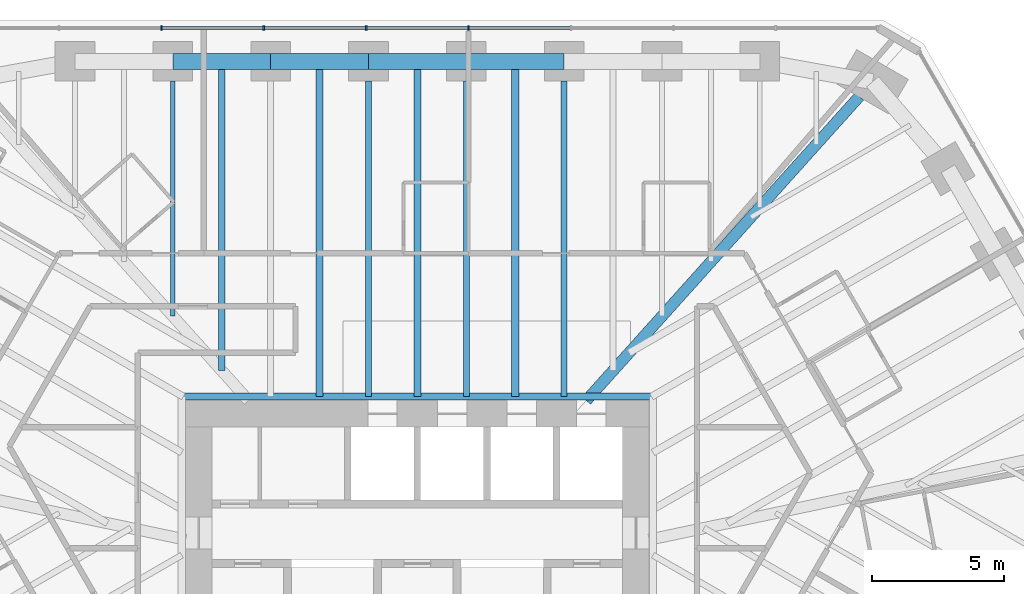
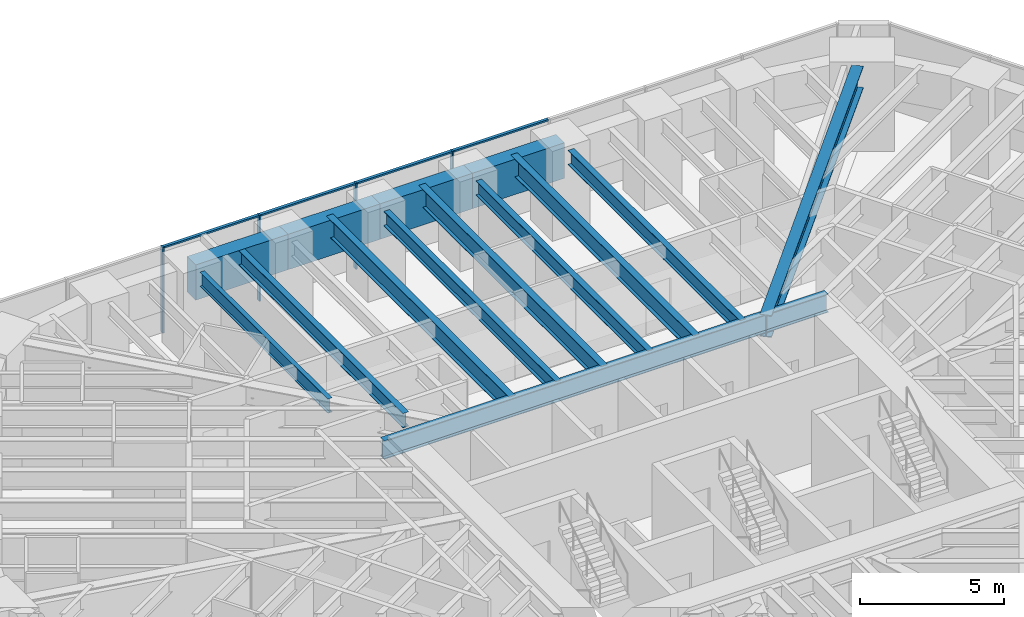
# One storey, part 8 of 16: 14 beams, 8 members, 1 element without a shape of its own.
"""IFC4 building model written with IfcOpenShell, lengths in metres."""

from ifc_helpers import new_model, si_unit, direction, frame, origin, origin_2d, place, context, subcontext, project, spatial, rectangle, i_section, extrude, material, material_profile, profile_set, type_object, element, aggregate, save


model = new_model("IFC4")

# Units and contexts
model_context = context("Model", 3, precision=1e-05, world=origin(), true_north=direction((0.0, 1.0)))
body_context = subcontext(model_context, "Body", "Model", "MODEL_VIEW")
ifc_project = project(units=[si_unit("LENGTHUNIT", "METRE"), si_unit("AREAUNIT", "SQUARE_METRE"), si_unit("VOLUMEUNIT", "CUBIC_METRE"), si_unit("PLANEANGLEUNIT", "RADIAN"), si_unit("MASSUNIT", "GRAM", prefix="KILO")], contexts=[model_context])

# Site, building, storey
site_placement = place(None, origin())
site = spatial("IfcSite", under=ifc_project, at=site_placement, CompositionType="ELEMENT")
building_placement = place(site_placement, origin())
building = spatial("IfcBuilding", under=site, at=building_placement, Name="Sandreach Pilgrim Tower", CompositionType="ELEMENT")
storey_placement = place(building_placement, frame((0.0, 0.0, 209.800048828125)))
storey = spatial("IfcBuildingStorey", under=building, at=storey_placement, Name="L52", CompositionType="ELEMENT", Elevation=209.800048828125)

# Curtain wall, members
ifc_material_1 = material(Name="Aluminium framed curtain wall", Category="aluminium")
curtain_wall_type = type_object("IfcCurtainWallType", Name="Upper hotel tower curtain wall", PredefinedType="NOTDEFINED", material=ifc_material_1)
curtain_wall_placement = place(storey_placement, origin())
curtain_wall = element("IfcCurtainWall", 1, at=curtain_wall_placement, inside=storey, type_object=curtain_wall_type, Name="CW-3 L52 N", PredefinedType="NOTDEFINED")
ifc_material_2 = material(Name="Aluminium extrusion", Category="aluminium")
ifc_material_profile_1 = material_profile(ifc_material_2, rectangle(XDim=0.06494140625, YDim=0.159912109375, at=origin_2d()), Name="CW-3M 65X160")
ifc_profile_set_1 = profile_set([ifc_material_profile_1], Name="Aluminium extrusion")
member_type_1 = type_object("IfcMemberType", Name="CW-3 mullion", PredefinedType="MULLION", material=ifc_profile_set_1)
member_1_placement = place(storey_placement, frame((-9.6611328125, 21.16015625, 0.0), z_axis=(0.0, 0.0, 1.0), x_axis=(1.0, 0.0, 0.0)))
member_1 = element("IfcMember", 2, at=member_1_placement, type_object=member_type_1, Name="CW-3 mullion 3", PredefinedType="MULLION", context=body_context, shape_type="SweptSolid", body=[
    extrude(rectangle(XDim=0.06494140625, YDim=0.159912109375, at=origin_2d()), origin(), (0.0, 0.0, 1.0), 3.639892578125),
])
member_2_placement = place(storey_placement, frame((-5.796630859375, 21.16015625, 0.0), z_axis=(0.0, 0.0, 1.0), x_axis=(1.0, 0.0, 0.0)))
member_2 = element("IfcMember", 3, at=member_2_placement, type_object=member_type_1, Name="CW-3 mullion 4", PredefinedType="MULLION", context=body_context, shape_type="SweptSolid", body=[
    extrude(rectangle(XDim=0.06494140625, YDim=0.159912109375, at=origin_2d()), origin(), (0.0, 0.0, 1.0), 3.639892578125),
])
member_3_placement = place(storey_placement, frame((-1.93212890625, 21.16015625, 0.0), z_axis=(0.0, 0.0, 1.0), x_axis=(1.0, 0.0, 0.0)))
member_3 = element("IfcMember", 4, at=member_3_placement, type_object=member_type_1, Name="CW-3 mullion 5", PredefinedType="MULLION", context=body_context, shape_type="SweptSolid", body=[
    extrude(rectangle(XDim=0.06494140625, YDim=0.159912109375, at=origin_2d()), origin(), (0.0, 0.0, 1.0), 3.639892578125),
])
member_4_placement = place(storey_placement, frame((1.93212890625, 21.16015625, 0.0), z_axis=(0.0, 0.0, 1.0), x_axis=(1.0, 0.0, 0.0)))
member_4 = element("IfcMember", 5, at=member_4_placement, type_object=member_type_1, Name="CW-3 mullion 6", PredefinedType="MULLION", context=body_context, shape_type="SweptSolid", body=[
    extrude(rectangle(XDim=0.06494140625, YDim=0.159912109375, at=origin_2d()), origin(), (0.0, 0.0, 1.0), 3.639892578125),
])
ifc_material_3 = material(Name="Aluminium extrusion", Category="aluminium")
ifc_material_profile_2 = material_profile(ifc_material_3, rectangle(XDim=0.1201171875, YDim=0.070068359375, at=origin_2d()), Name="CW-3T 120X70")
ifc_profile_set_2 = profile_set([ifc_material_profile_2], Name="Aluminium extrusion")
member_type_2 = type_object("IfcMemberType", Name="CW-3 transom", PredefinedType="USERDEFINED", material=ifc_profile_set_2)
member_5_placement = place(storey_placement, frame((-9.628662109375, 21.16015625, 3.60498046875), z_axis=(1.0, 0.0, 0.0), x_axis=(0.0, 1.0, 0.0)))
member_5 = element("IfcMember", 6, at=member_5_placement, type_object=member_type_2, Name="CW-3 head transom 3", ObjectType="TRANSOM", PredefinedType="USERDEFINED", context=body_context, shape_type="SweptSolid", body=[
    extrude(rectangle(XDim=0.1201171875, YDim=0.070068359375, at=origin_2d()), origin(), (0.0, 0.0, 1.0), 3.799560546875),
])
member_6_placement = place(storey_placement, frame((-5.76416015625, 21.16015625, 3.60498046875), z_axis=(1.0, 0.0, 0.0), x_axis=(0.0, 1.0, 0.0)))
member_6 = element("IfcMember", 7, at=member_6_placement, type_object=member_type_2, Name="CW-3 head transom 4", ObjectType="TRANSOM", PredefinedType="USERDEFINED", context=body_context, shape_type="SweptSolid", body=[
    extrude(rectangle(XDim=0.1201171875, YDim=0.070068359375, at=origin_2d()), origin(), (0.0, 0.0, 1.0), 3.799560546875),
])
member_7_placement = place(storey_placement, frame((-1.899658203125, 21.16015625, 3.60498046875), z_axis=(1.0, 0.0, 0.0), x_axis=(0.0, 1.0, 0.0)))
member_7 = element("IfcMember", 8, at=member_7_placement, type_object=member_type_2, Name="CW-3 head transom 5", ObjectType="TRANSOM", PredefinedType="USERDEFINED", context=body_context, shape_type="SweptSolid", body=[
    extrude(rectangle(XDim=0.1201171875, YDim=0.070068359375, at=origin_2d()), origin(), (0.0, 0.0, 1.0), 3.79931640625),
])
member_8_placement = place(storey_placement, frame((1.964599609375, 21.16015625, 3.60498046875), z_axis=(1.0, 0.0, 0.0), x_axis=(0.0, 1.0, 0.0)))
member_8 = element("IfcMember", 9, at=member_8_placement, type_object=member_type_2, Name="CW-3 head transom 6", ObjectType="TRANSOM", PredefinedType="USERDEFINED", context=body_context, shape_type="SweptSolid", body=[
    extrude(rectangle(XDim=0.1201171875, YDim=0.070068359375, at=origin_2d()), origin(), (0.0, 0.0, 1.0), 3.799560546875),
])
aggregate(curtain_wall, [member_1, member_2, member_3, member_4, member_5, member_6, member_7, member_8])

# Beams
ifc_material_4 = material(Name="Steel ASTM A992 Grade 50", Category="steel")
ifc_material_profile_3 = material_profile(ifc_material_4, i_section(OverallWidth=0.2666015625, OverallDepth=0.77978515625, WebThickness=0.0166015625, FlangeThickness=0.030029296875, at=origin_2d()), Name="W30X148")
ifc_profile_set_3 = profile_set([ifc_material_profile_3], Name="Steel ASTM A992 Grade 50")
beam_type_1 = type_object("IfcBeamType", Name="Core edge beam W30X148", PredefinedType="BEAM", material=ifc_profile_set_3)
beam_1_placement = place(storey_placement, frame((-8.893310546875, 7.243408203125, 3.25), z_axis=(1.0, 0.0, 0.0), x_axis=(0.0, 1.0, 0.0)))
element("IfcBeam", 10, at=beam_1_placement, inside=storey, type_object=beam_type_1, Name="BM L52 CEN", PredefinedType="BEAM", context=body_context, shape_type="SweptSolid", body=[
    extrude(i_section(OverallWidth=0.2666015625, OverallDepth=0.77978515625, WebThickness=0.0166015625, FlangeThickness=0.030029296875, at=origin_2d()), origin(), (0.0, 0.0, 1.0), 17.78662109375),
])
ifc_material_5 = material(Name="Steel ASTM A992 Grade 50", Category="steel")
ifc_material_profile_4 = material_profile(ifc_material_5, i_section(OverallWidth=0.421630859375, OverallDepth=0.937255859375, WebThickness=0.0224609375, FlangeThickness=0.039794921875, at=origin_2d()), Name="W36X282")
ifc_profile_set_4 = profile_set([ifc_material_profile_4], Name="Steel ASTM A992 Grade 50")
beam_type_2 = type_object("IfcBeamType", Name="Corner girder W36X282", PredefinedType="BEAM", material=ifc_profile_set_4)
beam_2_placement = place(storey_placement, frame((16.677001953125, 18.572509765625, 3.17138671875), z_axis=(-0.668116607722, -0.744056582853, 0.0), x_axis=(0.744056582853, -0.668116607722, 0.0)))
element("IfcBeam", 11, at=beam_2_placement, inside=storey, type_object=beam_type_2, Name="BM L52 CG09", PredefinedType="BEAM", context=body_context, shape_type="SweptSolid", body=[
    extrude(i_section(OverallWidth=0.421630859375, OverallDepth=0.937255859375, WebThickness=0.0224609375, FlangeThickness=0.039794921875, at=origin_2d()), origin(), (0.0, 0.0, 1.0), 15.418701171875),
])
ifc_material_6 = material(Name="Steel ASTM A992 Grade 50", Category="steel")
ifc_material_profile_5 = material_profile(ifc_material_6, i_section(OverallWidth=0.1787109375, OverallDepth=0.60205078125, WebThickness=0.010986328125, FlangeThickness=0.014892578125, at=origin_2d()), Name="W24X62")
ifc_profile_set_5 = profile_set([ifc_material_profile_5], Name="Steel ASTM A992 Grade 50")
beam_type_3 = type_object("IfcBeamType", Name="Floor beam W24X62", PredefinedType="BEAM", material=ifc_profile_set_5)
beam_3_placement = place(storey_placement, frame((-9.231201171875, 19.150146484375, 3.3388671875), z_axis=(0.0, -1.0, 0.0), x_axis=(1.0, 0.0, 0.0)))
element("IfcBeam", 12, at=beam_3_placement, inside=storey, type_object=beam_type_3, Name="BM L52 F02", PredefinedType="BEAM", context=body_context, shape_type="SweptSolid", body=[
    extrude(i_section(OverallWidth=0.1787109375, OverallDepth=0.60205078125, WebThickness=0.010986328125, FlangeThickness=0.014892578125, at=origin_2d()), origin(), (0.0, 0.0, 1.0), 8.86962890625),
])
ifc_material_7 = material(Name="Steel ASTM A992 Grade 50", Category="steel")
ifc_material_profile_6 = material_profile(ifc_material_7, i_section(OverallWidth=0.23046875, OverallDepth=0.6171875, WebThickness=0.01318359375, FlangeThickness=0.022216796875, at=origin_2d()), Name="W24X94")
ifc_profile_set_6 = profile_set([ifc_material_profile_6], Name="Steel ASTM A992 Grade 50")
beam_type_4 = type_object("IfcBeamType", Name="Floor beam W24X94", PredefinedType="BEAM", material=ifc_profile_set_6)
for number, where, z_axis, x_axis, name in (
    (13, (-1.84619140625, 19.150146484375, 3.331298828125), (0.0, -1.0, 0.0), (1.0, 0.0, 0.0), "BM L52 F04"),
    (14, (1.84619140625, 19.150146484375, 3.331298828125), (0.0, -1.0, 0.0), (1.0, 0.0, 0.0), "BM L52 F05"),
    (15, (5.538818359375, 19.150146484375, 3.331298828125), (0.0, -1.0, 0.0), (1.0, 0.0, 0.0), "BM L52 F06"),
):
    element("IfcBeam", number, at=place(storey_placement, frame(where, z_axis=z_axis, x_axis=x_axis)), inside=storey, type_object=beam_type_4, Name=name, PredefinedType="BEAM", context=body_context, shape_type="SweptSolid", body=[
        extrude(i_section(OverallWidth=0.23046875, OverallDepth=0.6171875, WebThickness=0.01318359375, FlangeThickness=0.022216796875, at=origin_2d()), origin(), (0.0, 0.0, 1.0), 11.90673828125),
    ])
beam_4_placement = place(storey_placement, frame((-7.385009765625, 19.900146484375, 3.331298828125), z_axis=(0.0, -1.0, 0.0), x_axis=(1.0, 0.0, 0.0)))
element("IfcBeam", 16, at=beam_4_placement, inside=storey, type_object=beam_type_4, Name="BM L52 FM02", PredefinedType="BEAM", context=body_context, shape_type="SweptSolid", body=[
    extrude(i_section(OverallWidth=0.23046875, OverallDepth=0.6171875, WebThickness=0.01318359375, FlangeThickness=0.022216796875, at=origin_2d()), origin(), (0.0, 0.0, 1.0), 11.67578125),
])
ifc_material_8 = material(Name="Steel ASTM A992 Grade 50", Category="steel")
ifc_material_profile_7 = material_profile(ifc_material_8, i_section(OverallWidth=0.2666015625, OverallDepth=0.761962890625, WebThickness=0.014404296875, FlangeThickness=0.021484375, at=origin_2d()), Name="W30X116")
ifc_profile_set_7 = profile_set([ifc_material_profile_7], Name="Steel ASTM A992 Grade 50")
beam_type_5 = type_object("IfcBeamType", Name="Floor beam W30X116", PredefinedType="BEAM", material=ifc_profile_set_7)
for number, where, z_axis, x_axis, name in (
    (17, (-3.6923828125, 19.900146484375, 3.259033203125), (0.0, -1.0, 0.0), (1.0, 0.0, 0.0), "BM L52 FM03"),
    (18, (0.0, 19.900146484375, 3.259033203125), (0.0, -1.0, 0.0), (1.0, 0.0, 0.0), "BM L52 FM04"),
    (19, (3.6923828125, 19.900146484375, 3.259033203125), (0.0, -1.0, 0.0), (1.0, 0.0, 0.0), "BM L52 FM05"),
):
    element("IfcBeam", number, at=place(storey_placement, frame(where, z_axis=z_axis, x_axis=x_axis)), inside=storey, type_object=beam_type_5, Name=name, PredefinedType="BEAM", context=body_context, shape_type="SweptSolid", body=[
        extrude(i_section(OverallWidth=0.2666015625, OverallDepth=0.761962890625, WebThickness=0.014404296875, FlangeThickness=0.021484375, at=origin_2d()), origin(), (0.0, 0.0, 1.0), 12.65673828125),
    ])
ifc_material_9 = material(Name="Concrete 10000 psi", Category="concrete")
ifc_material_profile_8 = material_profile(ifc_material_9, rectangle(XDim=0.60009765625, YDim=1.5, at=origin_2d()), Name="RC600X1500")
ifc_profile_set_8 = profile_set([ifc_material_profile_8], Name="Concrete 10000 psi")
beam_type_6 = type_object("IfcBeamType", Name="Spandrel beam RC600X1500", PredefinedType="SPANDREL", material=ifc_profile_set_8)
beam_5_placement = place(storey_placement, frame((-9.231201171875, 19.900146484375, 2.889892578125), z_axis=(1.0, 0.0, 0.0), x_axis=(0.0, 1.0, 0.0)))
element("IfcBeam", 20, at=beam_5_placement, inside=storey, type_object=beam_type_6, Name="BM L52 SP02", PredefinedType="SPANDREL", context=body_context, shape_type="SweptSolid", body=[
    extrude(rectangle(XDim=0.60009765625, YDim=1.5, at=origin_2d()), origin(), (0.0, 0.0, 1.0), 3.6923828125),
])
beam_6_placement = place(storey_placement, frame((-5.538818359375, 19.900146484375, 2.889892578125), z_axis=(1.0, 0.0, 0.0), x_axis=(0.0, 1.0, 0.0)))
element("IfcBeam", 21, at=beam_6_placement, inside=storey, type_object=beam_type_6, Name="BM L52 SP03", PredefinedType="SPANDREL", context=body_context, shape_type="SweptSolid", body=[
    extrude(rectangle(XDim=0.60009765625, YDim=1.5, at=origin_2d()), origin(), (0.0, 0.0, 1.0), 3.692626953125),
])
beam_7_placement = place(storey_placement, frame((-1.84619140625, 19.900146484375, 2.889892578125), z_axis=(1.0, 0.0, 0.0), x_axis=(0.0, 1.0, 0.0)))
element("IfcBeam", 22, at=beam_7_placement, inside=storey, type_object=beam_type_6, Name="BM L52 SP04", PredefinedType="SPANDREL", context=body_context, shape_type="SweptSolid", body=[
    extrude(rectangle(XDim=0.60009765625, YDim=1.5, at=origin_2d()), origin(), (0.0, 0.0, 1.0), 3.6923828125),
])
beam_8_placement = place(storey_placement, frame((1.84619140625, 19.900146484375, 2.889892578125), z_axis=(1.0, 0.0, 0.0), x_axis=(0.0, 1.0, 0.0)))
element("IfcBeam", 23, at=beam_8_placement, inside=storey, type_object=beam_type_6, Name="BM L52 SP05", PredefinedType="SPANDREL", context=body_context, shape_type="SweptSolid", body=[
    extrude(rectangle(XDim=0.60009765625, YDim=1.5, at=origin_2d()), origin(), (0.0, 0.0, 1.0), 3.692626953125),
])

save(model, "model.ifc")
